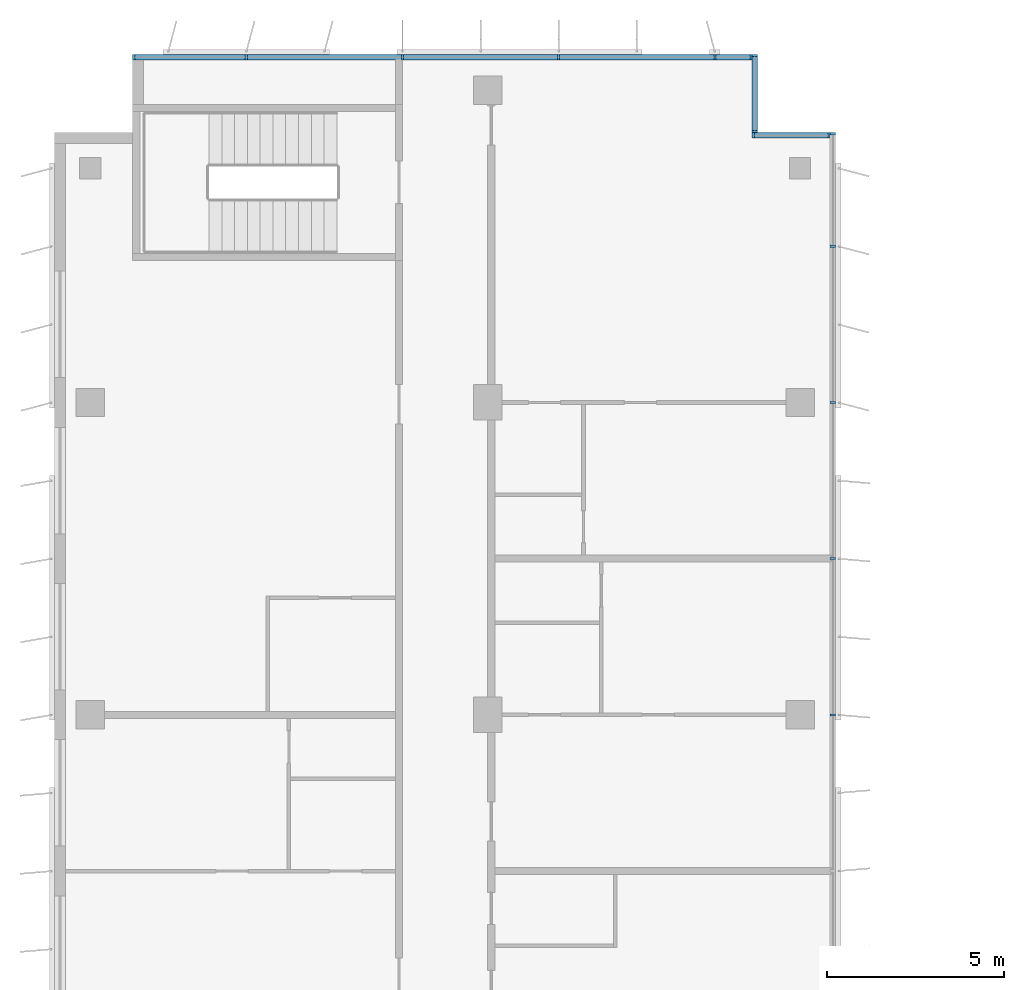
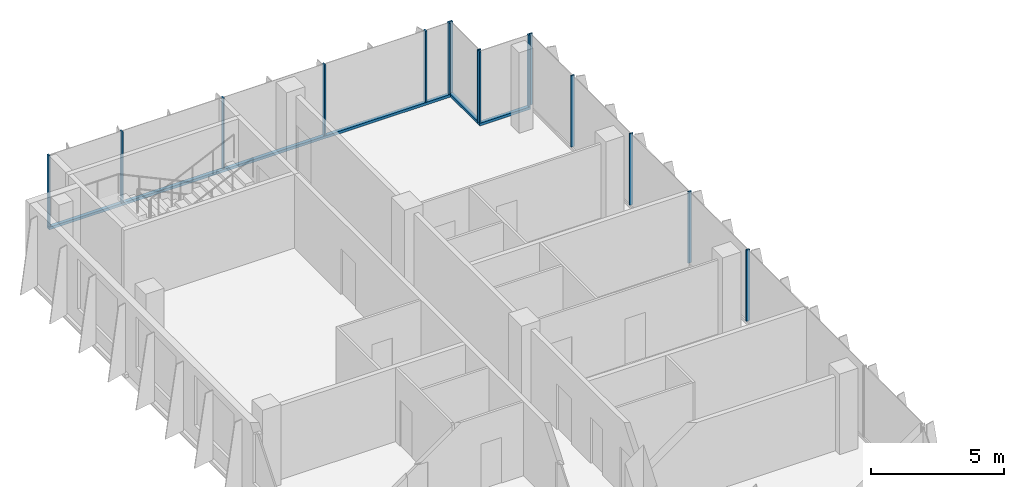
# One storey, part 6 of 16: 18 members, 4 elements without a shape of their own.
"""IFC4 building model written with IfcOpenShell, lengths in metres."""

from ifc_helpers import new_model, si_unit, direction, frame, origin, origin_2d, place, context, subcontext, project, spatial, rectangle, extrude, source, transform, mapped, material, material_profile, profile_set, type_object, element, aggregate, save


model = new_model("IFC4")

# Units and contexts
model_context = context("Model", 3, precision=1e-05, world=origin(), true_north=direction((0.0, 1.0)))
body_context = subcontext(model_context, "Body", "Model", "MODEL_VIEW")
ifc_project = project(units=[si_unit("LENGTHUNIT", "METRE"), si_unit("AREAUNIT", "SQUARE_METRE"), si_unit("VOLUMEUNIT", "CUBIC_METRE"), si_unit("PLANEANGLEUNIT", "RADIAN"), si_unit("MASSUNIT", "GRAM", prefix="KILO")], contexts=[model_context])

# Site, building, storey
site_placement = place(None, origin())
site = spatial("IfcSite", under=ifc_project, at=site_placement, CompositionType="ELEMENT")
building_placement = place(site_placement, origin())
building = spatial("IfcBuilding", under=site, at=building_placement, Name="Kemantara Hotel Tower", CompositionType="ELEMENT")
storey_placement = place(building_placement, frame((0.0, 0.0, 283.300048828125)))
storey = spatial("IfcBuildingStorey", under=building, at=storey_placement, Name="L71", CompositionType="ELEMENT", Elevation=283.300048828125)

# Curtain wall, member
ifc_material_1 = material(Name="Low-E tinted double insulated glass 36 mm", Category="glass")
curtain_wall_type = type_object("IfcCurtainWallType", Name="TOWER CURTAIN WALL, FRONT FACES", PredefinedType="USERDEFINED", material=ifc_material_1)
curtain_wall_1_placement = place(storey_placement, origin())
curtain_wall_1 = element("IfcCurtainWall", 1, at=curtain_wall_1_placement, inside=storey, type_object=curtain_wall_type, Name="CW4 L71 T4-R02-1", ObjectType="TOWER CURTAIN WALL, FRONT FACES", PredefinedType="USERDEFINED")
ifc_material_2 = material(Name="Aluminium 6063-T6 bronze anodised", Category="aluminium")
ifc_material_profile_1 = material_profile(ifc_material_2, rectangle(XDim=0.14990234375, YDim=0.1201171875, at=origin_2d()), Name="TOWER CURTAIN WALL, FRONT FACES TRANSOM")
ifc_profile_set_1 = profile_set([ifc_material_profile_1], Name="Aluminium 6063-T6 bronze anodised")
member_type_1 = type_object("IfcMemberType", Name="TOWER CURTAIN WALL, FRONT FACES TRANSOM", PredefinedType="USERDEFINED", material=ifc_profile_set_1)
member_1_placement = place(storey_placement, frame((19.64990234375, 63.52490234375, 0.06005859375), z_axis=(-1.0, 0.0, 0.0), x_axis=(0.0, -1.0, 0.0)))
member_1 = element("IfcMember", 2, at=member_1_placement, type_object=member_type_1, Name="CW4 sill transom T4-R02-1", ObjectType="TRANSOM", PredefinedType="USERDEFINED", context=body_context, shape_type="SweptSolid", body=[
    extrude(rectangle(XDim=0.14990234375, YDim=0.1201171875, at=origin_2d()), origin(), (0.0, 0.0, 1.0), 17.449951171875),
])

curtain_wall_2_placement = place(storey_placement, origin())
curtain_wall_2 = element("IfcCurtainWall", 3, at=curtain_wall_2_placement, inside=storey, type_object=curtain_wall_type, Name="CW4 L71 T4-R00-1", ObjectType="TOWER CURTAIN WALL, FRONT FACES", PredefinedType="USERDEFINED")
member_2_placement = place(storey_placement, frame((21.85009765625, 61.324951171875, 0.06005859375), z_axis=(-1.0, 0.0, 0.0), x_axis=(0.0, -1.0, 0.0)))
member_2 = element("IfcMember", 4, at=member_2_placement, type_object=member_type_1, Name="CW4 sill transom T4-R00-1", ObjectType="TRANSOM", PredefinedType="USERDEFINED", context=body_context, shape_type="SweptSolid", body=[
    extrude(rectangle(XDim=0.14990234375, YDim=0.1201171875, at=origin_2d()), origin(), (0.0, 0.0, 1.0), 2.2001953125),
])

curtain_wall_3_placement = place(storey_placement, origin())
curtain_wall_3 = element("IfcCurtainWall", 5, at=curtain_wall_3_placement, inside=storey, type_object=curtain_wall_type, Name="CW4 L71 T4-R01-1", ObjectType="TOWER CURTAIN WALL, FRONT FACES", PredefinedType="USERDEFINED")
member_3_placement = place(storey_placement, frame((19.72509765625, 61.39990234375, 0.06005859375), z_axis=(0.0, 1.0, 0.0), x_axis=(-1.0, 0.0, 0.0)))
member_3 = element("IfcMember", 6, at=member_3_placement, type_object=member_type_1, Name="CW4 sill transom T4-R01-1", ObjectType="TRANSOM", PredefinedType="USERDEFINED", context=body_context, shape_type="SweptSolid", body=[
    extrude(rectangle(XDim=0.14990234375, YDim=0.1201171875, at=origin_2d()), origin(), (0.0, 0.0, 1.0), 2.2001953125),
])

# Member
ifc_material_profile_2 = material_profile(ifc_material_2, rectangle(XDim=0.14990234375, YDim=0.06005859375, at=origin_2d()), Name="TOWER CURTAIN WALL, FRONT FACES MULLION")
ifc_profile_set_2 = profile_set([ifc_material_profile_2], Name="Aluminium 6063-T6 bronze anodised")
member_type_2 = type_object("IfcMemberType", Name="TOWER CURTAIN WALL, FRONT FACES MULLION", PredefinedType="MULLION", material=ifc_profile_set_2)
shared_shape = source(origin(), body_context, "Body", "SweptSolid", [
    extrude(rectangle(XDim=0.14990234375, YDim=0.06005859375, at=origin_2d()), origin(), (0.0, 0.0, 1.0), 3.280029296875),
])
member_4_placement = place(storey_placement, frame((19.6201171875, 63.52490234375, 0.119873046875), z_axis=(0.0, 0.0, 1.0), x_axis=(0.0, -1.0, 0.0)))
member_4 = element("IfcMember", 7, at=member_4_placement, type_object=member_type_2, Name="CW4 mullion T4-R02-1.1", PredefinedType="MULLION", context=body_context, shape_type="MappedRepresentation", body=[
    mapped(shared_shape, transform((0.0, 0.0, 0.0))),
])

member_5_placement = place(storey_placement, frame((18.60009765625, 63.52490234375, 0.119873046875), z_axis=(0.0, 0.0, 1.0), x_axis=(0.0, -1.0, 0.0)))
member_5 = element("IfcMember", 8, at=member_5_placement, type_object=member_type_2, Name="CW4 mullion T4-R02-1.2", PredefinedType="MULLION", context=body_context, shape_type="MappedRepresentation", body=[
    mapped(shared_shape, transform((0.0, 0.0, 0.0))),
])

member_6_placement = place(storey_placement, frame((14.199951171875, 63.52490234375, 0.119873046875), z_axis=(0.0, 0.0, 1.0), x_axis=(0.0, -1.0, 0.0)))
member_6 = element("IfcMember", 9, at=member_6_placement, type_object=member_type_2, Name="CW4 mullion T4-R02-1.3", PredefinedType="MULLION", context=body_context, shape_type="MappedRepresentation", body=[
    mapped(shared_shape, transform((0.0, 0.0, 0.0))),
])

member_7_placement = place(storey_placement, frame((9.800048828125, 63.52490234375, 0.119873046875), z_axis=(0.0, 0.0, 1.0), x_axis=(0.0, -1.0, 0.0)))
member_7 = element("IfcMember", 10, at=member_7_placement, type_object=member_type_2, Name="CW4 mullion T4-R02-1.4", PredefinedType="MULLION", context=body_context, shape_type="MappedRepresentation", body=[
    mapped(shared_shape, transform((0.0, 0.0, 0.0))),
])

member_8_placement = place(storey_placement, frame((5.39990234375, 63.52490234375, 0.119873046875), z_axis=(0.0, 0.0, 1.0), x_axis=(0.0, -1.0, 0.0)))
member_8 = element("IfcMember", 11, at=member_8_placement, type_object=member_type_2, Name="CW4 mullion T4-R02-1.5", PredefinedType="MULLION", context=body_context, shape_type="MappedRepresentation", body=[
    mapped(shared_shape, transform((0.0, 0.0, 0.0))),
])

member_9_placement = place(storey_placement, frame((2.22998046875, 63.52490234375, 0.119873046875), z_axis=(0.0, 0.0, 1.0), x_axis=(0.0, -1.0, 0.0)))
member_9 = element("IfcMember", 12, at=member_9_placement, type_object=member_type_2, Name="CW4 mullion T4-R02-1.6", PredefinedType="MULLION", context=body_context, shape_type="MappedRepresentation", body=[
    mapped(shared_shape, transform((0.0, 0.0, 0.0))),
])

aggregate(curtain_wall_1, [member_1, member_4, member_5, member_6, member_7, member_8, member_9])

# Curtain wall, members
curtain_wall_4_placement = place(storey_placement, origin())
curtain_wall_4 = element("IfcCurtainWall", 13, at=curtain_wall_4_placement, inside=storey, type_object=curtain_wall_type, Name="CW4 L71 T4-R15-1", ObjectType="TOWER CURTAIN WALL, FRONT FACES", PredefinedType="USERDEFINED")
member_10_placement = place(storey_placement, frame((21.925048828125, 45.0, 0.119873046875), z_axis=(0.0, 0.0, 1.0), x_axis=(-1.0, 0.0, 0.0)))
member_10 = element("IfcMember", 14, at=member_10_placement, type_object=member_type_2, Name="CW4 mullion T4-R15-1.6", PredefinedType="MULLION", context=body_context, shape_type="MappedRepresentation", body=[
    mapped(shared_shape, transform((0.0, 0.0, 0.0))),
])
member_11_placement = place(storey_placement, frame((21.925048828125, 49.39990234375, 0.119873046875), z_axis=(0.0, 0.0, 1.0), x_axis=(-1.0, 0.0, 0.0)))
member_11 = element("IfcMember", 15, at=member_11_placement, type_object=member_type_2, Name="CW4 mullion T4-R15-1.7", PredefinedType="MULLION", context=body_context, shape_type="MappedRepresentation", body=[
    mapped(shared_shape, transform((0.0, 0.0, 0.0))),
])
member_12_placement = place(storey_placement, frame((21.925048828125, 53.800048828125, 0.119873046875), z_axis=(0.0, 0.0, 1.0), x_axis=(-1.0, 0.0, 0.0)))
member_12 = element("IfcMember", 16, at=member_12_placement, type_object=member_type_2, Name="CW4 mullion T4-R15-1.8", PredefinedType="MULLION", context=body_context, shape_type="MappedRepresentation", body=[
    mapped(shared_shape, transform((0.0, 0.0, 0.0))),
])
member_13_placement = place(storey_placement, frame((21.925048828125, 58.199951171875, 0.119873046875), z_axis=(0.0, 0.0, 1.0), x_axis=(-1.0, 0.0, 0.0)))
member_13 = element("IfcMember", 17, at=member_13_placement, type_object=member_type_2, Name="CW4 mullion T4-R15-1.9", PredefinedType="MULLION", context=body_context, shape_type="MappedRepresentation", body=[
    mapped(shared_shape, transform((0.0, 0.0, 0.0))),
])
member_14_placement = place(storey_placement, frame((21.925048828125, 61.3701171875, 0.119873046875), z_axis=(0.0, 0.0, 1.0), x_axis=(-1.0, 0.0, 0.0)))
member_14 = element("IfcMember", 18, at=member_14_placement, type_object=member_type_2, Name="CW4 mullion T4-R15-1.10", PredefinedType="MULLION", context=body_context, shape_type="MappedRepresentation", body=[
    mapped(shared_shape, transform((0.0, 0.0, 0.0))),
])
aggregate(curtain_wall_4, [member_10, member_11, member_12, member_13, member_14])

# Member
member_15_placement = place(storey_placement, frame((21.820068359375, 61.324951171875, 0.119873046875), z_axis=(0.0, 0.0, 1.0), x_axis=(0.0, -1.0, 0.0)))
member_15 = element("IfcMember", 19, at=member_15_placement, type_object=member_type_2, Name="CW4 mullion T4-R00-1.1", PredefinedType="MULLION", context=body_context, shape_type="MappedRepresentation", body=[
    mapped(shared_shape, transform((0.0, 0.0, 0.0))),
])

member_16_placement = place(storey_placement, frame((19.679931640625, 61.324951171875, 0.119873046875), z_axis=(0.0, 0.0, 1.0), x_axis=(0.0, -1.0, 0.0)))
member_16 = element("IfcMember", 20, at=member_16_placement, type_object=member_type_2, Name="CW4 mullion T4-R00-1.2", PredefinedType="MULLION", context=body_context, shape_type="MappedRepresentation", body=[
    mapped(shared_shape, transform((0.0, 0.0, 0.0))),
])

aggregate(curtain_wall_2, [member_2, member_15, member_16])

member_17_placement = place(storey_placement, frame((19.72509765625, 61.429931640625, 0.119873046875), z_axis=(0.0, 0.0, 1.0), x_axis=(-1.0, 0.0, 0.0)))
member_17 = element("IfcMember", 21, at=member_17_placement, type_object=member_type_2, Name="CW4 mullion T4-R01-1.1", PredefinedType="MULLION", context=body_context, shape_type="MappedRepresentation", body=[
    mapped(shared_shape, transform((0.0, 0.0, 0.0))),
])

member_18_placement = place(storey_placement, frame((19.72509765625, 63.570068359375, 0.119873046875), z_axis=(0.0, 0.0, 1.0), x_axis=(-1.0, 0.0, 0.0)))
member_18 = element("IfcMember", 22, at=member_18_placement, type_object=member_type_2, Name="CW4 mullion T4-R01-1.2", PredefinedType="MULLION", context=body_context, shape_type="MappedRepresentation", body=[
    mapped(shared_shape, transform((0.0, 0.0, 0.0))),
])

aggregate(curtain_wall_3, [member_3, member_17, member_18])

save(model, "model.ifc")
